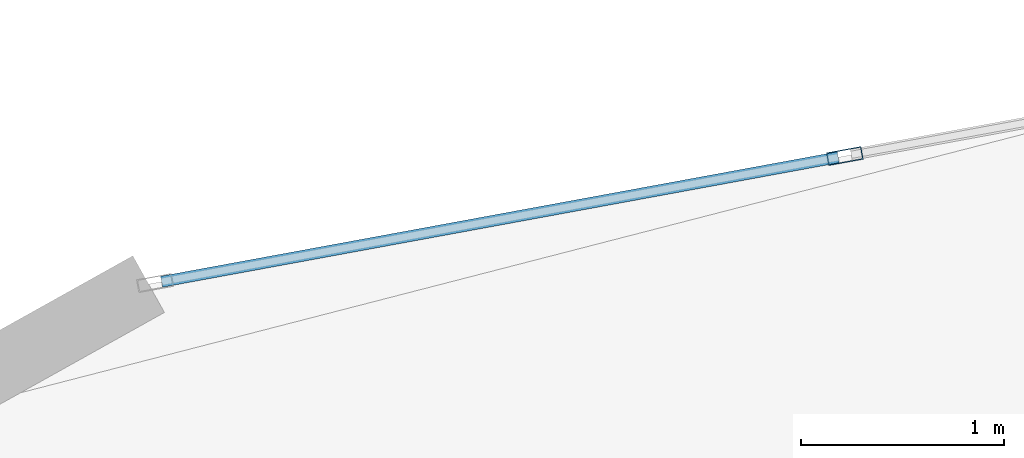
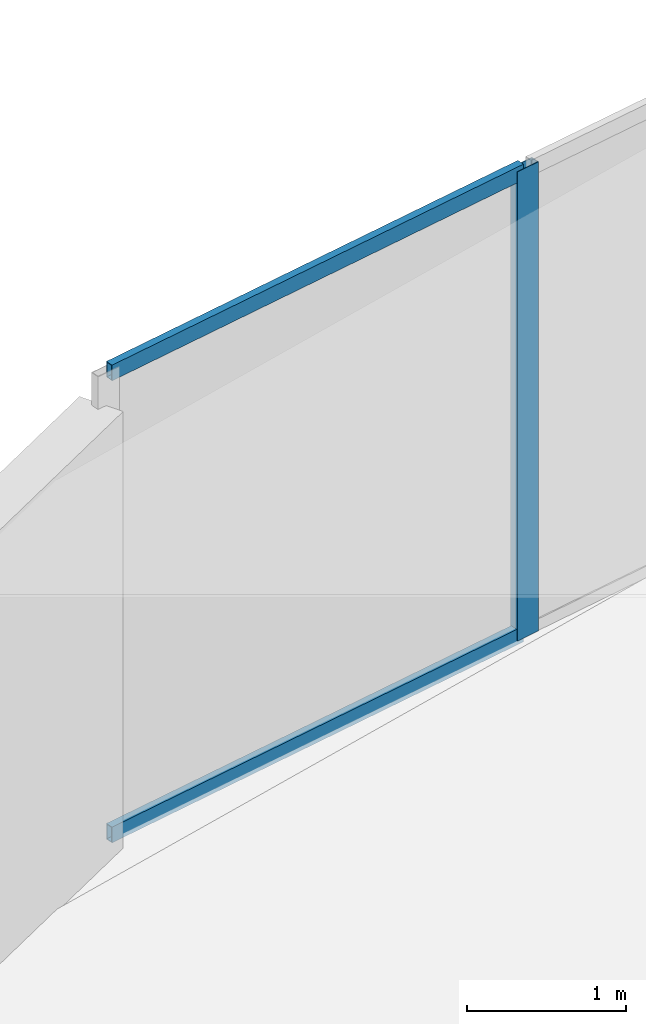
# One storey, part 16 of 25: 3 members, 1 element without a shape of its own.
"""IFC4 building model written with IfcOpenShell, lengths in metres."""

from ifc_helpers import new_model, si_unit, direction, frame, origin, origin_2d, place, context, subcontext, project, spatial, hollow_rectangle, extrude, source, transform, mapped, material, layer, layer_set, material_profile, profile_set, type_object, element, aggregate, save


model = new_model("IFC4")

# Units and contexts
model_context = context("Model", 3, precision=1e-05, world=origin(), true_north=direction((0.0, 1.0)))
body_context = subcontext(model_context, "Body", "Model", "MODEL_VIEW")
ifc_project = project(units=[si_unit("LENGTHUNIT", "METRE"), si_unit("AREAUNIT", "SQUARE_METRE"), si_unit("VOLUMEUNIT", "CUBIC_METRE"), si_unit("PLANEANGLEUNIT", "RADIAN"), si_unit("MASSUNIT", "GRAM", prefix="KILO")], contexts=[model_context])

# Site, building, storey
site_placement = place(None, origin())
site = spatial("IfcSite", under=ifc_project, at=site_placement, CompositionType="ELEMENT")
building_placement = place(site_placement, origin())
building = spatial("IfcBuilding", under=site, at=building_placement, Name="Solvirekh Grand Hotel", CompositionType="ELEMENT")
storey_placement = place(building_placement, frame((0.0, 0.0, 102.60009765625)))
storey = spatial("IfcBuildingStorey", under=building, at=storey_placement, Name="L25", CompositionType="ELEMENT", Elevation=102.60009765625)

# Curtain wall, members
ifc_material = material(Name="Anodized Bronze Aluminium 6063-T6", Category="aluminium")
ifc_layer = layer(ifc_material, 0.175048828125)
ifc_layer_set = layer_set([ifc_layer], Name="Anodized Bronze Aluminium 6063-T6")
curtain_wall_type = type_object("IfcCurtainWallType", Name="CW_Sys3_MidZoneFlushBronzeCW", PredefinedType="NOTDEFINED", material=ifc_layer_set)
curtain_wall_placement = place(storey_placement, origin())
curtain_wall = element("IfcCurtainWall", 1, at=curtain_wall_placement, inside=storey, type_object=curtain_wall_type, Name="L25 unitised bronze-glass curtain wall CW-L25-C08", PredefinedType="NOTDEFINED")
ifc_material_profile_1 = material_profile(ifc_material, hollow_rectangle(XDim=0.06494140625, YDim=0.175048828125, WallThickness=0.0048828125, at=origin_2d()), Name="ALU RHS 175X65X5")
ifc_profile_set_1 = profile_set([ifc_material_profile_1], Name="Anodized Bronze Aluminium 6063-T6")
member_type_1 = type_object("IfcMemberType", Name="CWMullion_Sys3", PredefinedType="MULLION", material=ifc_profile_set_1)
shared_shape_1 = source(origin(), body_context, "Body", "SweptSolid", [
    extrude(hollow_rectangle(XDim=0.06494140625, YDim=0.175048828125, WallThickness=0.0048828125, at=origin_2d()), origin(), (0.0, 0.0, 1.0), 3.599853515625),
])
member_1_placement = place(storey_placement, frame((-6.64794921875, 20.640380859375, 0.0), z_axis=(0.0, 0.0, 1.0), x_axis=(0.180987633873, -0.983485371719, 0.0)))
member_1 = element("IfcMember", 2, at=member_1_placement, type_object=member_type_1, Name="U03 mullion 2", PredefinedType="MULLION", context=body_context, shape_type="MappedRepresentation", body=[
    mapped(shared_shape_1, transform((0.0, 0.0, 0.0), x_axis=(1.0, 0.0, 0.0), y_axis=(0.0, 1.0, 0.0), z_axis=(0.0, 0.0, 1.0), scale=1.0)),
])
ifc_material_profile_2 = material_profile(ifc_material, hollow_rectangle(XDim=0.054931640625, YDim=0.1201171875, WallThickness=0.00390625, at=origin_2d()), Name="ALU RHS 120X55X4")
ifc_profile_set_2 = profile_set([ifc_material_profile_2], Name="Anodized Bronze Aluminium 6063-T6")
member_type_2 = type_object("IfcMemberType", Name="CWTransom_Sys3", PredefinedType="USERDEFINED", material=ifc_profile_set_2)
shared_shape_2 = source(origin(), body_context, "Body", "SweptSolid", [
    extrude(hollow_rectangle(XDim=0.054931640625, YDim=0.1201171875, WallThickness=0.00390625, at=origin_2d()), origin(), (0.0, 0.0, 1.0), 3.397216796875),
])
member_2_placement = place(storey_placement, frame((-6.679931640625, 20.634521484375, 0.02734375), z_axis=(-0.983490568923, -0.180959390029, 0.0), x_axis=(0.180959390029, -0.983490568923, 0.0)))
member_2 = element("IfcMember", 3, at=member_2_placement, type_object=member_type_2, Name="U03 transom 2.1", ObjectType="TRANSOM", PredefinedType="USERDEFINED", context=body_context, shape_type="MappedRepresentation", body=[
    mapped(shared_shape_2, transform((0.0, 0.0, 0.0), x_axis=(1.0, 0.0, 0.0), y_axis=(0.0, 1.0, 0.0), z_axis=(0.0, 0.0, 1.0), scale=1.0)),
])
member_3_placement = place(storey_placement, frame((-6.679931640625, 20.634521484375, 3.572509765625), z_axis=(-0.983490568923, -0.180959390029, 0.0), x_axis=(0.180959390029, -0.983490568923, 0.0)))
member_3 = element("IfcMember", 4, at=member_3_placement, type_object=member_type_2, Name="U03 transom 2.2", ObjectType="TRANSOM", PredefinedType="USERDEFINED", context=body_context, shape_type="MappedRepresentation", body=[
    mapped(shared_shape_2, transform((0.0, 0.0, 0.0), x_axis=(1.0, 0.0, 0.0), y_axis=(0.0, 1.0, 0.0), z_axis=(0.0, 0.0, 1.0), scale=1.0)),
])
aggregate(curtain_wall, [member_1, member_2, member_3])

save(model, "model.ifc")
